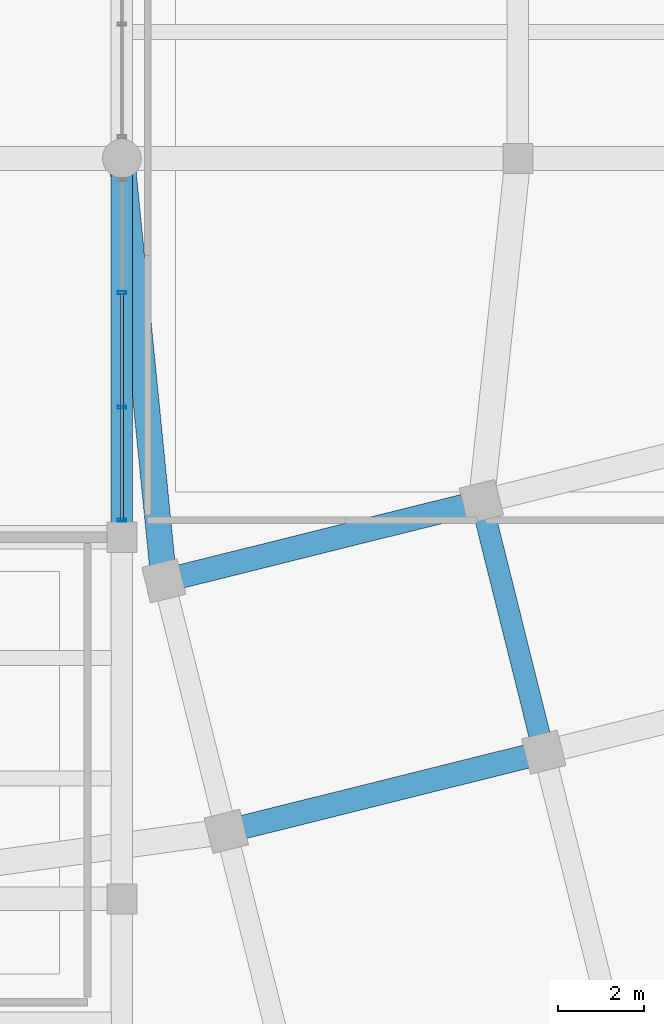
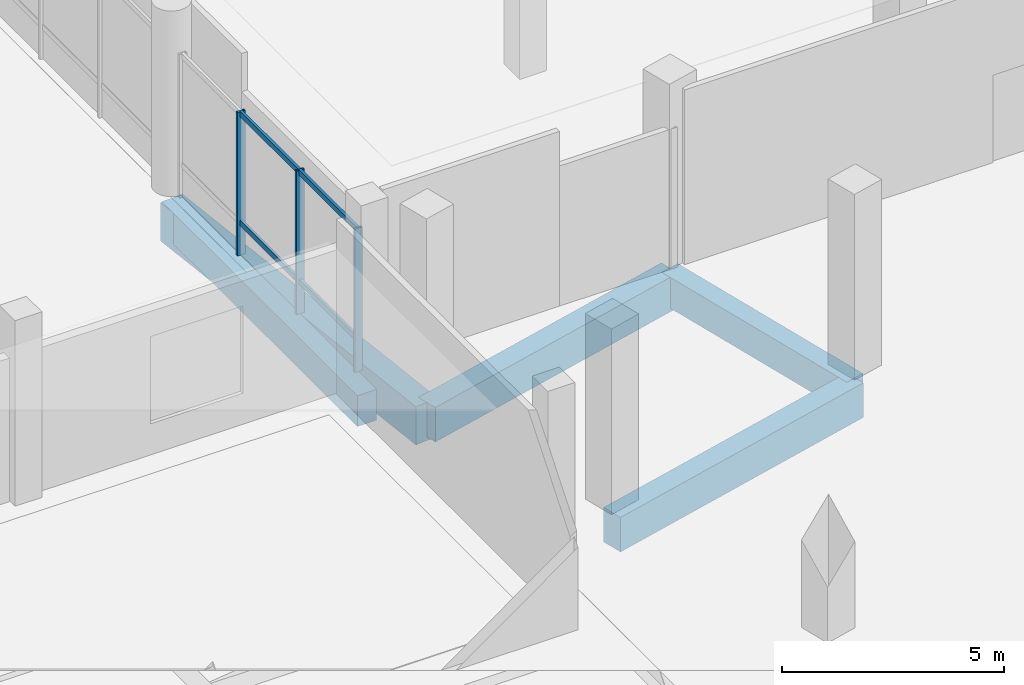
# One storey, part 27 of 73: 7 members, 5 beams, 1 element without a shape of its own.
"""IFC4 building model written with IfcOpenShell, lengths in metres."""

from ifc_helpers import new_model, si_unit, direction, frame, origin, origin_2d, place, context, subcontext, project, spatial, rectangle, hollow_rectangle, extrude, material, layer, layer_set, material_profile, profile_set, type_object, element, aggregate, save


model = new_model("IFC4")

# Units and contexts
model_context = context("Model", 3, precision=1e-05, world=origin(), true_north=direction((0.0, 1.0)))
body_context = subcontext(model_context, "Body", "Model", "MODEL_VIEW")
ifc_project = project(units=[si_unit("LENGTHUNIT", "METRE"), si_unit("AREAUNIT", "SQUARE_METRE"), si_unit("VOLUMEUNIT", "CUBIC_METRE"), si_unit("PLANEANGLEUNIT", "RADIAN"), si_unit("MASSUNIT", "GRAM", prefix="KILO")], contexts=[model_context])

# Site, building, storey
site_placement = place(None, origin())
site = spatial("IfcSite", under=ifc_project, at=site_placement, CompositionType="ELEMENT")
building_placement = place(site_placement, origin())
building = spatial("IfcBuilding", under=site, at=building_placement, Name="Meriwether Solvik Hall", CompositionType="ELEMENT")
storey_placement = place(building_placement, origin())
storey = spatial("IfcBuildingStorey", under=building, at=storey_placement, Name="L00", CompositionType="ELEMENT", Elevation=0.0)

# Beams
ifc_material_1 = material(Name="Concrete C40/50", Category="concrete")
ifc_material_profile_1 = material_profile(ifc_material_1, rectangle(XDim=0.5, YDim=0.85009765625, at=origin_2d()), Name="RCB-500X850")
ifc_profile_set_1 = profile_set([ifc_material_profile_1], Name="Concrete C40/50")
beam_type_1 = type_object("IfcBeamType", Name="BM-RC-500X850", PredefinedType="BEAM", material=ifc_profile_set_1)
beam_1_placement = place(storey_placement, frame((59.39990234375, 75.199951171875, -0.784912109375), z_axis=(0.0, 1.0, 0.0), x_axis=(-1.0, 0.0, 0.0)))
element("IfcBeam", 1, at=beam_1_placement, inside=storey, type_object=beam_type_1, Name="Podium Girder 7:I-J (L00)", PredefinedType="BEAM", context=body_context, shape_type="SweptSolid", body=[
    extrude(rectangle(XDim=0.5, YDim=0.85009765625, at=origin_2d()), origin(), (0.0, 0.0, 1.0), 8.800048828125),
])
beam_2_placement = place(storey_placement, frame((69.200439453125, 70.206787109375, -0.784912109375), z_axis=(-0.241903677572, 0.970300268359, 0.0), x_axis=(-0.970300268359, -0.241903677572, 0.0)))
element("IfcBeam", 2, at=beam_2_placement, inside=storey, type_object=beam_type_1, Name="Tower Girder T2:TE-TF (L00)", PredefinedType="BEAM", context=body_context, shape_type="SweptSolid", body=[
    extrude(rectangle(XDim=0.5, YDim=0.85009765625, at=origin_2d()), origin(), (0.0, 0.0, 1.0), 6.0),
])
ifc_material_2 = material(Name="Concrete C40/50", Category="concrete")
ifc_material_profile_2 = material_profile(ifc_material_2, rectangle(XDim=0.550048828125, YDim=0.949951171875, at=origin_2d()), Name="RCB-550X950")
ifc_profile_set_2 = profile_set([ifc_material_profile_2], Name="Concrete C40/50")
beam_type_2 = type_object("IfcBeamType", Name="BM-RC-550X950", PredefinedType="BEAM", material=ifc_profile_set_2)
for number, where, z_axis, x_axis, name in (
    (3, (61.826171875, 68.3681640625, -0.8349609375), (0.970295366785, 0.241923337436, 0.0), (-0.241923337436, 0.970295366785, 0.0), "Tower Girder TE:T1-T2 (L00)"),
    (4, (60.374755859375, 74.18994140625, -0.8349609375), (0.970295366785, 0.241923337436, 0.0), (-0.241923337436, 0.970295366785, 0.0), "Tower Girder TF:T1-T2 (L00)"),
):
    element("IfcBeam", number, at=place(storey_placement, frame(where, z_axis=z_axis, x_axis=x_axis)), inside=storey, type_object=beam_type_2, Name=name, PredefinedType="BEAM", context=body_context, shape_type="SweptSolid", body=[
        extrude(rectangle(XDim=0.550048828125, YDim=0.949951171875, at=origin_2d()), origin(), (0.0, 0.0, 1.0), 7.60009765625),
    ])
ifc_material_3 = material(Name="Concrete C40/50", Category="concrete")
ifc_material_profile_3 = material_profile(ifc_material_3, rectangle(XDim=0.60009765625, YDim=1.050048828125, at=origin_2d()), Name="RCB-600X1050")
ifc_profile_set_3 = profile_set([ifc_material_profile_3], Name="Concrete C40/50")
beam_type_3 = type_object("IfcBeamType", Name="BM-RC-600X1050", PredefinedType="BEAM", material=ifc_profile_set_3)
beam_3_placement = place(storey_placement, frame((60.374755859375, 74.18994140625, -0.885009765625), z_axis=(-0.098885806068, 0.995098787738, 0.0), x_axis=(-0.995098787738, -0.098885806068, 0.0)))
element("IfcBeam", 5, at=beam_3_placement, inside=storey, type_object=beam_type_3, Name="Diaphragm Collector Girder T1/TF-7/J (L00)", PredefinedType="BEAM", context=body_context, shape_type="SweptSolid", body=[
    extrude(rectangle(XDim=0.60009765625, YDim=1.050048828125, at=origin_2d()), origin(), (0.0, 0.0, 1.0), 9.8583984375),
])

# Curtain wall, members
ifc_material_4 = material(Name="Thermally Broken Anodised Aluminium 6063-T6 and Low-E Glass", Category="aluminium")
ifc_layer = layer(ifc_material_4, 0.179931640625)
ifc_layer_set = layer_set([ifc_layer], Name="Thermally Broken Anodised Aluminium 6063-T6 and Low-E Glass")
curtain_wall_type = type_object("IfcCurtainWallType", Name="CW-SF-POD-A", PredefinedType="USERDEFINED", material=ifc_layer_set)
curtain_wall_placement = place(storey_placement, origin())
curtain_wall = element("IfcCurtainWall", 6, at=curtain_wall_placement, inside=storey, type_object=curtain_wall_type, Name="Curtain Wall wing_Y7_9_54 (L00)", ObjectType="STICK STOREFRONT GLAZING", PredefinedType="USERDEFINED")
ifc_material_5 = material(Name="Anodised Aluminium 6063-T6", Category="aluminium")
ifc_material_profile_4 = material_profile(ifc_material_5, hollow_rectangle(XDim=0.070068359375, YDim=0.199951171875, WallThickness=0.0048828125, at=origin_2d()), Name="CWM-70X200")
ifc_profile_set_4 = profile_set([ifc_material_profile_4], Name="Anodised Aluminium 6063-T6")
member_type_1 = type_object("IfcMemberType", Name="CW-MUL-70X200", PredefinedType="MULLION", material=ifc_profile_set_4)
member_1_placement = place(storey_placement, frame((59.39990234375, 75.60009765625, 0.0), z_axis=(0.0, 0.0, 1.0), x_axis=(0.0, 1.0, 0.0)))
member_1 = element("IfcMember", 7, at=member_1_placement, type_object=member_type_1, Name="Curtain Wall Mullion 1", PredefinedType="MULLION", context=body_context, shape_type="SweptSolid", body=[
    extrude(hollow_rectangle(XDim=0.070068359375, YDim=0.199951171875, WallThickness=0.0048828125, at=origin_2d()), origin(), (0.0, 0.0, 1.0), 3.93994140625),
])
member_2_placement = place(storey_placement, frame((59.39990234375, 78.220703125, 0.0), z_axis=(0.0, 0.0, 1.0), x_axis=(0.0, 1.0, 0.0)))
member_2 = element("IfcMember", 8, at=member_2_placement, type_object=member_type_1, Name="Curtain Wall Mullion 2", PredefinedType="MULLION", context=body_context, shape_type="SweptSolid", body=[
    extrude(hollow_rectangle(XDim=0.070068359375, YDim=0.199951171875, WallThickness=0.0048828125, at=origin_2d()), origin(), (0.0, 0.0, 1.0), 3.93994140625),
])
member_3_placement = place(storey_placement, frame((59.39990234375, 80.87939453125, 0.0), z_axis=(0.0, 0.0, 1.0), x_axis=(0.0, 1.0, 0.0)))
member_3 = element("IfcMember", 9, at=member_3_placement, type_object=member_type_1, Name="Curtain Wall Mullion 3", PredefinedType="MULLION", context=body_context, shape_type="SweptSolid", body=[
    extrude(hollow_rectangle(XDim=0.070068359375, YDim=0.199951171875, WallThickness=0.0048828125, at=origin_2d()), origin(), (0.0, 0.0, 1.0), 3.93994140625),
])
ifc_material_6 = material(Name="Anodised Aluminium 6063-T6", Category="aluminium")
ifc_material_profile_5 = material_profile(ifc_material_6, hollow_rectangle(XDim=0.070068359375, YDim=0.14990234375, WallThickness=0.0048828125, at=origin_2d()), Name="CWT-70X150")
ifc_profile_set_5 = profile_set([ifc_material_profile_5], Name="Anodised Aluminium 6063-T6")
member_type_2 = type_object("IfcMemberType", Name="CW-TRN-70X150", PredefinedType="USERDEFINED", material=ifc_profile_set_5)
member_4_placement = place(storey_placement, frame((59.39990234375, 75.60009765625, 0.8798828125), z_axis=(0.0, 1.0, 0.0), x_axis=(-1.0, 0.0, 0.0)))
member_4 = element("IfcMember", 10, at=member_4_placement, type_object=member_type_2, Name="Curtain Wall Transom 1-sill", ObjectType="TRANSOM", PredefinedType="USERDEFINED", context=body_context, shape_type="SweptSolid", body=[
    extrude(hollow_rectangle(XDim=0.070068359375, YDim=0.14990234375, WallThickness=0.0048828125, at=origin_2d()), origin(), (0.0, 0.0, 1.0), 2.62060546875),
])
member_5_placement = place(storey_placement, frame((59.39990234375, 75.60009765625, 3.8798828125), z_axis=(0.0, 1.0, 0.0), x_axis=(-1.0, 0.0, 0.0)))
member_5 = element("IfcMember", 11, at=member_5_placement, type_object=member_type_2, Name="Curtain Wall Transom 1-head", ObjectType="TRANSOM", PredefinedType="USERDEFINED", context=body_context, shape_type="SweptSolid", body=[
    extrude(hollow_rectangle(XDim=0.070068359375, YDim=0.14990234375, WallThickness=0.0048828125, at=origin_2d()), origin(), (0.0, 0.0, 1.0), 2.62060546875),
])
member_6_placement = place(storey_placement, frame((59.39990234375, 78.220703125, 0.8798828125), z_axis=(0.0, 1.0, 0.0), x_axis=(-1.0, 0.0, 0.0)))
member_6 = element("IfcMember", 12, at=member_6_placement, type_object=member_type_2, Name="Curtain Wall Transom 2-sill", ObjectType="TRANSOM", PredefinedType="USERDEFINED", context=body_context, shape_type="SweptSolid", body=[
    extrude(hollow_rectangle(XDim=0.070068359375, YDim=0.14990234375, WallThickness=0.0048828125, at=origin_2d()), origin(), (0.0, 0.0, 1.0), 2.65869140625),
])
member_7_placement = place(storey_placement, frame((59.39990234375, 78.220703125, 3.8798828125), z_axis=(0.0, 1.0, 0.0), x_axis=(-1.0, 0.0, 0.0)))
member_7 = element("IfcMember", 13, at=member_7_placement, type_object=member_type_2, Name="Curtain Wall Transom 2-head", ObjectType="TRANSOM", PredefinedType="USERDEFINED", context=body_context, shape_type="SweptSolid", body=[
    extrude(hollow_rectangle(XDim=0.070068359375, YDim=0.14990234375, WallThickness=0.0048828125, at=origin_2d()), origin(), (0.0, 0.0, 1.0), 2.65869140625),
])
aggregate(curtain_wall, [member_1, member_2, member_3, member_4, member_5, member_6, member_7])

save(model, "model.ifc")
